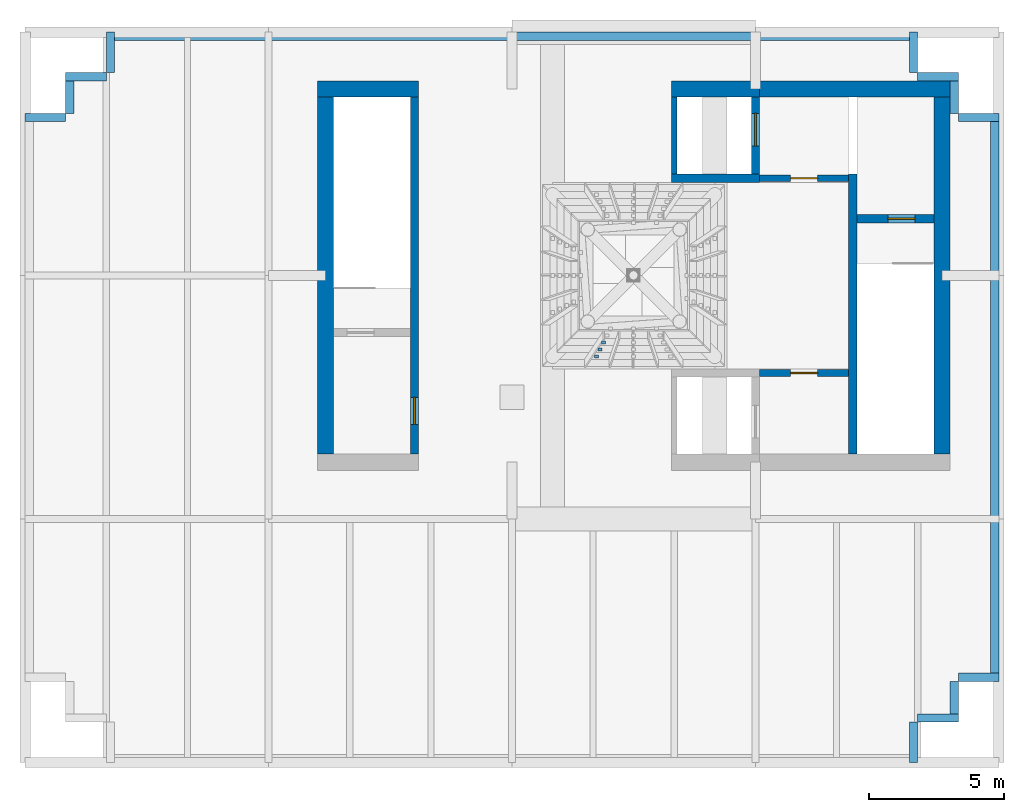
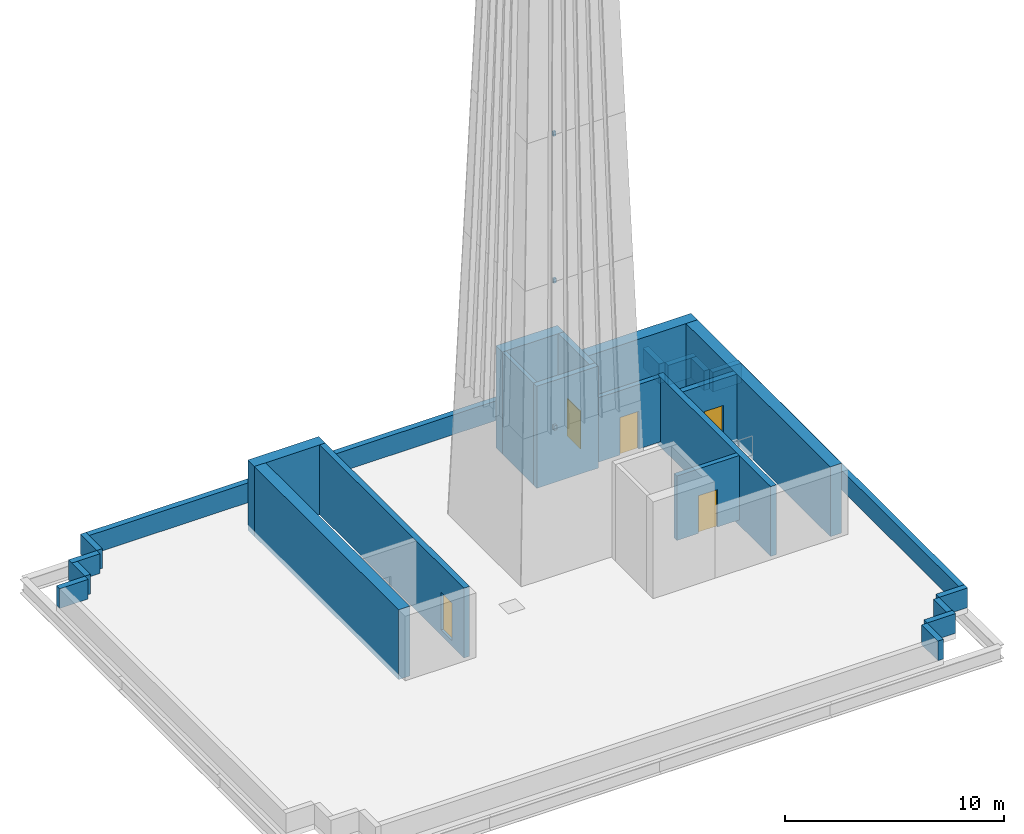
# One storey, part 4 of 8: 27 walls, 5 doors, 3 discrete accessories, 5 openings.
"""IFC4 building model written with IfcOpenShell, lengths in metres."""

from ifc_helpers import new_model, si_unit, direction, frame, frame_2d, origin, origin_2d, place, context, subcontext, project, spatial, rectangle, extrude, material, layer, layer_set, type_object, element, fill, save


model = new_model("IFC4")

# Units and contexts
model_context = context("Model", 3, precision=1e-05, world=origin(), true_north=direction((0.0, 1.0)))
body_context = subcontext(model_context, "Body", "Model", "MODEL_VIEW")
ifc_project = project(units=[si_unit("LENGTHUNIT", "METRE"), si_unit("AREAUNIT", "SQUARE_METRE"), si_unit("VOLUMEUNIT", "CUBIC_METRE"), si_unit("PLANEANGLEUNIT", "RADIAN"), si_unit("MASSUNIT", "GRAM", prefix="KILO")], contexts=[model_context])

# Site, building, storey
site_placement = place(None, origin())
site = spatial("IfcSite", under=ifc_project, at=site_placement, CompositionType="ELEMENT")
building_placement = place(site_placement, origin())
building = spatial("IfcBuilding", under=site, at=building_placement, Name="Loomwork Tower", CompositionType="ELEMENT")
storey_placement = place(building_placement, frame((0.0, 0.0, 279.800048828125)))
storey = spatial("IfcBuildingStorey", under=building, at=storey_placement, Name="RF", CompositionType="ELEMENT", Elevation=279.800048828125)

# Wall, opening, door
ifc_material_1 = material(Name="Concrete 14000 psi (97 MPa)", Category="concrete")
ifc_layer_1 = layer(ifc_material_1, 0.300048828125)
ifc_layer_set_1 = layer_set([ifc_layer_1], Name="Core shear wall 300")
wall_type_1 = type_object("IfcWallType", Name="Core shear wall 300", PredefinedType="SHEAR", material=ifc_layer_set_1)
wall_1_placement = place(storey_placement, frame((14.39990234375, 11.39990234375, -0.300048828125), z_axis=(0.0, 0.0, 1.0), x_axis=(0.0, 1.0, 0.0)))
wall_1 = element("IfcWall", 1, at=wall_1_placement, inside=storey, type_object=wall_type_1, Name="Stair A head-house wall east RF", PredefinedType="SHEAR", context=body_context, shape_type="SweptSolid", body=[
    extrude(rectangle(XDim=13.2001953125, YDim=0.300048828125, at=frame_2d((6.60009765625, 0.0))), origin(), (0.0, 0.0, 1.0), 3.89990234375),
])
opening_1_placement = place(wall_1_placement, frame((1.10009765625, 0.0, 0.300048828125)))
opening_1 = element("IfcOpeningElement", 2, at=opening_1_placement, cuts=wall_1, Name="Opening D12", PredefinedType="OPENING", context=body_context, shape_type="SweptSolid", body=[
    extrude(rectangle(XDim=1.0, YDim=2.10009765625, at=frame_2d((0.5, 1.050048828125))), frame((0.0, 0.159912109375, 0.0), z_axis=(0.0, -1.0, 0.0), x_axis=(1.0, 0.0, 0.0)), (0.0, 0.0, 1.0), 0.320068359375),
])
ifc_material_2 = material(Name="Hollow metal door and frame")
door_type_1 = type_object("IfcDoorType", Name="External service door 1000", OperationType="SINGLE_SWING_RIGHT", PredefinedType="DOOR", material=ifc_material_2)
door_1_placement = place(opening_1_placement, origin())
door_1 = element("IfcDoor", 3, at=door_1_placement, inside=storey, type_object=door_type_1, Name="Stair A roof access door", OperationType="SINGLE_SWING_LEFT", OverallHeight=2.10009765625, OverallWidth=1.0, PredefinedType="DOOR", context=body_context, shape_type="SweptSolid", body=[
    extrude(rectangle(XDim=1.0, YDim=2.10009765625, at=frame_2d((0.5, 1.050048828125))), frame((0.0, 0.02490234375, 0.0), z_axis=(0.0, -1.0, 0.0), x_axis=(1.0, 0.0, 0.0)), (0.0, 0.0, 1.0), 0.050048828125),
])
fill(opening_1, door_1)

wall_2_placement = place(storey_placement, frame((27.0, 21.75, -0.300048828125), z_axis=(0.0, 0.0, 1.0), x_axis=(0.0, 1.0, 0.0)))
wall_2 = element("IfcWall", 4, at=wall_2_placement, inside=storey, type_object=wall_type_1, Name="Stair B and fire service lift penthouse wall LF2-east RF", PredefinedType="SHEAR", context=body_context, shape_type="SweptSolid", body=[
    extrude(rectangle(XDim=2.85009765625, YDim=0.300048828125, at=frame_2d((1.425048828125, 0.0))), origin(), (0.0, 0.0, 1.0), 5.699951171875),
])
opening_2_placement = place(wall_2_placement, frame((1.050048828125, 0.0, 0.300048828125)))
opening_2 = element("IfcOpeningElement", 5, at=opening_2_placement, cuts=wall_2, Name="Opening LD2", PredefinedType="OPENING", context=body_context, shape_type="SweptSolid", body=[
    extrude(rectangle(XDim=1.199951171875, YDim=2.10009765625, at=frame_2d((0.60009765625, 1.050048828125))), frame((0.0, 0.159912109375, 0.0), z_axis=(0.0, -1.0, 0.0), x_axis=(1.0, 0.0, 0.0)), (0.0, 0.0, 1.0), 0.320068359375),
])
ifc_material_3 = material(Name="Hollow metal door and frame")
door_type_2 = type_object("IfcDoorType", Name="Lift landing door 1200", OperationType="SLIDING_TO_LEFT", PredefinedType="DOOR", material=ifc_material_3)
door_2_placement = place(opening_2_placement, origin())
door_2 = element("IfcDoor", 6, at=door_2_placement, inside=storey, type_object=door_type_2, Name="Lift landing door LF2", OperationType="SLIDING_TO_LEFT", OverallHeight=2.10009765625, OverallWidth=1.199951171875, PredefinedType="DOOR", context=body_context, shape_type="SweptSolid", body=[
    extrude(rectangle(XDim=1.199951171875, YDim=2.10009765625, at=frame_2d((0.60009765625, 1.050048828125))), frame((0.0, 0.02490234375, 0.0), z_axis=(0.0, -1.0, 0.0), x_axis=(1.0, 0.0, 0.0)), (0.0, 0.0, 1.0), 0.050048828125),
])
fill(opening_2, door_2)

# Walls
wall_3_placement = place(storey_placement, frame((23.89990234375, 21.60009765625, -0.300048828125), z_axis=(0.0, 0.0, 1.0), x_axis=(1.0, 0.0, 0.0)))
element("IfcWall", 7, at=wall_3_placement, inside=storey, type_object=wall_type_1, Name="Stair B and fire service lift penthouse wall LF2-front RF", PredefinedType="SHEAR", context=body_context, shape_type="SweptSolid", body=[
    extrude(rectangle(XDim=3.25, YDim=0.300048828125, at=frame_2d((1.625, 0.0))), origin(), (0.0, 0.0, 1.0), 5.699951171875),
])
wall_4_placement = place(storey_placement, frame((30.60009765625, 11.39990234375, -0.300048828125), z_axis=(0.0, 0.0, 1.0), x_axis=(0.0, 1.0, 0.0)))
element("IfcWall", 8, at=wall_4_placement, inside=storey, type_object=wall_type_1, Name="Stair B and fire service lift penthouse wall west RF", PredefinedType="SHEAR", context=body_context, shape_type="SweptSolid", body=[
    extrude(rectangle(XDim=10.35009765625, YDim=0.300048828125, at=frame_2d((5.175048828125, 0.0))), origin(), (0.0, 0.0, 1.0), 3.89990234375),
])

# Wall, opening, door
wall_5_placement = place(storey_placement, frame((30.75, 20.10009765625, -0.300048828125), z_axis=(0.0, 0.0, 1.0), x_axis=(1.0, 0.0, 0.0)))
wall_5 = element("IfcWall", 9, at=wall_5_placement, inside=storey, type_object=wall_type_1, Name="Stair B and fire service lift penthouse wall stair RF", PredefinedType="SHEAR", context=body_context, shape_type="SweptSolid", body=[
    extrude(rectangle(XDim=2.85009765625, YDim=0.300048828125, at=frame_2d((1.425048828125, 0.0))), origin(), (0.0, 0.0, 1.0), 3.89990234375),
])
opening_3_placement = place(wall_5_placement, frame((1.14990234375, 0.0, 0.300048828125)))
opening_3 = element("IfcOpeningElement", 10, at=opening_3_placement, cuts=wall_5, Name="Opening D4", PredefinedType="OPENING", context=body_context, shape_type="SweptSolid", body=[
    extrude(rectangle(XDim=1.0, YDim=2.10009765625, at=frame_2d((0.5, 1.050048828125))), frame((0.0, 0.159912109375, 0.0), z_axis=(0.0, -1.0, 0.0), x_axis=(1.0, 0.0, 0.0)), (0.0, 0.0, 1.0), 0.320068359375),
])
ifc_material_4 = material(Name="Hollow metal door and frame")
door_type_3 = type_object("IfcDoorType", Name="Stair door 1000", OperationType="SINGLE_SWING_RIGHT", PredefinedType="DOOR", material=ifc_material_4)
door_3_placement = place(opening_3_placement, origin())
door_3 = element("IfcDoor", 11, at=door_3_placement, inside=storey, type_object=door_type_3, Name="Stair B penthouse stair door", OperationType="SINGLE_SWING_RIGHT", OverallHeight=2.10009765625, OverallWidth=1.0, PredefinedType="DOOR", context=body_context, shape_type="SweptSolid", body=[
    extrude(rectangle(XDim=1.0, YDim=2.10009765625, at=frame_2d((0.5, 1.050048828125))), frame((0.0, 0.02490234375, 0.0), z_axis=(0.0, -1.0, 0.0), x_axis=(1.0, 0.0, 0.0)), (0.0, 0.0, 1.0), 0.050048828125),
])
fill(opening_3, door_3)

# Walls
ifc_material_5 = material(Name="Concrete 14000 psi (97 MPa)", Category="concrete")
ifc_layer_2 = layer(ifc_material_5, 0.60009765625)
ifc_layer_set_2 = layer_set([ifc_layer_2], Name="Core shear wall 600")
wall_type_2 = type_object("IfcWallType", Name="Core shear wall 600", PredefinedType="SHEAR", material=ifc_layer_set_2)
wall_6_placement = place(storey_placement, frame((10.800048828125, 24.89990234375, -0.300048828125), z_axis=(0.0, 0.0, 1.0), x_axis=(1.0, 0.0, 0.0)))
element("IfcWall", 12, at=wall_6_placement, inside=storey, type_object=wall_type_2, Name="Stair A head-house wall north RF", PredefinedType="SHEAR", context=body_context, shape_type="SweptSolid", body=[
    extrude(rectangle(XDim=3.75, YDim=0.60009765625, at=frame_2d((1.875, 0.0))), origin(), (0.0, 0.0, 1.0), 3.89990234375),
])
wall_7_placement = place(storey_placement, frame((11.10009765625, 11.39990234375, -0.300048828125), z_axis=(0.0, 0.0, 1.0), x_axis=(0.0, 1.0, 0.0)))
element("IfcWall", 13, at=wall_7_placement, inside=storey, type_object=wall_type_2, Name="Stair A head-house wall west RF", PredefinedType="SHEAR", context=body_context, shape_type="SweptSolid", body=[
    extrude(rectangle(XDim=13.2001953125, YDim=0.60009765625, at=frame_2d((6.60009765625, 0.0))), origin(), (0.0, 0.0, 1.0), 3.89990234375),
])
wall_8_placement = place(storey_placement, frame((23.89990234375, 24.89990234375, -0.300048828125), z_axis=(0.0, 0.0, 1.0), x_axis=(1.0, 0.0, 0.0)))
element("IfcWall", 14, at=wall_8_placement, inside=storey, type_object=wall_type_2, Name="Stair B and fire service lift penthouse wall LF2-north RF", PredefinedType="SHEAR", context=body_context, shape_type="SweptSolid", body=[
    extrude(rectangle(XDim=3.25, YDim=0.60009765625, at=frame_2d((1.625, 0.0))), origin(), (0.0, 0.0, 1.0), 5.699951171875),
])
wall_9_placement = place(storey_placement, frame((27.14990234375, 24.89990234375, -0.300048828125), z_axis=(0.0, 0.0, 1.0), x_axis=(1.0, 0.0, 0.0)))
element("IfcWall", 15, at=wall_9_placement, inside=storey, type_object=wall_type_2, Name="Stair B and fire service lift penthouse wall north RF", PredefinedType="SHEAR", context=body_context, shape_type="SweptSolid", body=[
    extrude(rectangle(XDim=7.050048828125, YDim=0.60009765625, at=frame_2d((3.52490234375, 0.0))), origin(), (0.0, 0.0, 1.0), 3.89990234375),
])
wall_10_placement = place(storey_placement, frame((33.89990234375, 11.39990234375, -0.300048828125), z_axis=(0.0, 0.0, 1.0), x_axis=(0.0, 1.0, 0.0)))
element("IfcWall", 16, at=wall_10_placement, inside=storey, type_object=wall_type_2, Name="Stair B and fire service lift penthouse wall east RF", PredefinedType="SHEAR", context=body_context, shape_type="SweptSolid", body=[
    extrude(rectangle(XDim=13.2001953125, YDim=0.60009765625, at=frame_2d((6.60009765625, 0.0))), origin(), (0.0, 0.0, 1.0), 3.89990234375),
])
ifc_material_6 = material(Name="Concrete 14000 psi (97 MPa)", Category="concrete")
ifc_layer_3 = layer(ifc_material_6, 0.199951171875)
ifc_layer_set_3 = layer_set([ifc_layer_3], Name="Lift shaft wall 200")
wall_type_3 = type_object("IfcWallType", Name="Lift shaft wall 200", PredefinedType="SHEAR", material=ifc_layer_set_3)
wall_11_placement = place(storey_placement, frame((24.0, 21.75, -0.300048828125), z_axis=(0.0, 0.0, 1.0), x_axis=(0.0, 1.0, 0.0)))
element("IfcWall", 17, at=wall_11_placement, inside=storey, type_object=wall_type_3, Name="Stair B and fire service lift penthouse wall LF2-west RF", PredefinedType="SHEAR", context=body_context, shape_type="SweptSolid", body=[
    extrude(rectangle(XDim=2.85009765625, YDim=0.199951171875, at=frame_2d((1.425048828125, 0.0))), origin(), (0.0, 0.0, 1.0), 5.699951171875),
])
ifc_material_7 = material(Name="Limestone on concrete masonry", Category="masonry")
ifc_layer_4 = layer(ifc_material_7, 0.300048828125)
ifc_layer_set_4 = layer_set([ifc_layer_4], Name="Parapet wall 300")
wall_type_4 = type_object("IfcWallType", Name="Parapet wall 300", PredefinedType="PARAPET", material=ifc_layer_set_4)
for number, where, z_axis, x_axis, name in (
    (18, (0.0, 23.85009765625, 0.0), (0.0, 0.0, 1.0), (1.0, 0.0, 0.0), "Parapet RF 5"),
    (19, (1.64990234375, 24.0, 0.0), (0.0, 0.0, 1.0), (0.0, 1.0, 0.0), "Parapet RF 6"),
    (20, (1.5, 25.35009765625, 0.0), (0.0, 0.0, 1.0), (1.0, 0.0, 0.0), "Parapet RF 7"),
    (21, (3.14990234375, 25.5, 0.0), (0.0, 0.0, 1.0), (0.0, 1.0, 0.0), "Parapet RF 8"),
):
    element("IfcWall", number, at=place(storey_placement, frame(where, z_axis=z_axis, x_axis=x_axis)), inside=storey, type_object=wall_type_4, Name=name, PredefinedType="PARAPET", context=body_context, shape_type="SweptSolid", body=[
        extrude(rectangle(XDim=1.5, YDim=0.300048828125, at=frame_2d((0.75, 0.0))), origin(), (0.0, 0.0, 1.0), 1.099853515625),
    ])
wall_12_placement = place(storey_placement, frame((3.0, 26.85009765625, 0.0), z_axis=(0.0, 0.0, 1.0), x_axis=(1.0, 0.0, 0.0)))
element("IfcWall", 22, at=wall_12_placement, inside=storey, type_object=wall_type_4, Name="Parapet RF 9", PredefinedType="PARAPET", context=body_context, shape_type="SweptSolid", body=[
    extrude(rectangle(XDim=30.0, YDim=0.300048828125, at=frame_2d((15.0, 0.0))), origin(), (0.0, 0.0, 1.0), 1.099853515625),
])
for number, where, z_axis, x_axis, name in (
    (23, (32.85009765625, 27.0, 0.0), (0.0, 0.0, 1.0), (0.0, -1.0, 0.0), "Parapet RF 10"),
    (24, (33.0, 25.35009765625, 0.0), (0.0, 0.0, 1.0), (1.0, 0.0, 0.0), "Parapet RF 11"),
    (25, (34.35009765625, 25.5, 0.0), (0.0, 0.0, 1.0), (0.0, -1.0, 0.0), "Parapet RF 12"),
    (26, (34.5, 23.85009765625, 0.0), (0.0, 0.0, 1.0), (1.0, 0.0, 0.0), "Parapet RF 13"),
):
    element("IfcWall", number, at=place(storey_placement, frame(where, z_axis=z_axis, x_axis=x_axis)), inside=storey, type_object=wall_type_4, Name=name, PredefinedType="PARAPET", context=body_context, shape_type="SweptSolid", body=[
        extrude(rectangle(XDim=1.5, YDim=0.300048828125, at=frame_2d((0.75, 0.0))), origin(), (0.0, 0.0, 1.0), 1.099853515625),
    ])
wall_13_placement = place(storey_placement, frame((35.85009765625, 24.0, 0.0), z_axis=(0.0, 0.0, 1.0), x_axis=(0.0, -1.0, 0.0)))
element("IfcWall", 27, at=wall_13_placement, inside=storey, type_object=wall_type_4, Name="Parapet RF 14", PredefinedType="PARAPET", context=body_context, shape_type="SweptSolid", body=[
    extrude(rectangle(XDim=21.0, YDim=0.300048828125, at=frame_2d((10.5, 0.0))), origin(), (0.0, 0.0, 1.0), 1.099853515625),
])
for number, where, z_axis, x_axis, name in (
    (28, (36.0, 3.14990234375, 0.0), (0.0, 0.0, 1.0), (-1.0, 0.0, 0.0), "Parapet RF 15"),
    (29, (34.35009765625, 3.0, 0.0), (0.0, 0.0, 1.0), (0.0, -1.0, 0.0), "Parapet RF 16"),
    (30, (34.5, 1.64990234375, 0.0), (0.0, 0.0, 1.0), (-1.0, 0.0, 0.0), "Parapet RF 17"),
    (31, (32.85009765625, 1.5, 0.0), (0.0, 0.0, 1.0), (0.0, -1.0, 0.0), "Parapet RF 18"),
):
    element("IfcWall", number, at=place(storey_placement, frame(where, z_axis=z_axis, x_axis=x_axis)), inside=storey, type_object=wall_type_4, Name=name, PredefinedType="PARAPET", context=body_context, shape_type="SweptSolid", body=[
        extrude(rectangle(XDim=1.5, YDim=0.300048828125, at=frame_2d((0.75, 0.0))), origin(), (0.0, 0.0, 1.0), 1.099853515625),
    ])

# Wall, opening, door
ifc_material_8 = material(Name="Concrete masonry, two-hour", Category="masonry")
ifc_layer_5 = layer(ifc_material_8, 0.25)
ifc_layer_set_5 = layer_set([ifc_layer_5], Name="Stair enclosure wall 250")
wall_type_5 = type_object("IfcWallType", Name="Stair enclosure wall 250", PredefinedType="SOLIDWALL", material=ifc_layer_set_5)
wall_14_placement = place(storey_placement, frame((27.14990234375, 14.39990234375, 0.0), z_axis=(0.0, 0.0, 1.0), x_axis=(1.0, 0.0, 0.0)))
wall_14 = element("IfcWall", 32, at=wall_14_placement, inside=storey, type_object=wall_type_5, Name="Stair B and fire service lift penthouse wall lobby-south RF", PredefinedType="SOLIDWALL", context=body_context, shape_type="SweptSolid", body=[
    extrude(rectangle(XDim=3.300048828125, YDim=0.25, at=frame_2d((1.64990234375, 0.0))), origin(), (0.0, 0.0, 1.0), 3.599853515625),
])
opening_4_placement = place(wall_14_placement, frame((1.14990234375, 0.0, 0.0)))
opening_4 = element("IfcOpeningElement", 33, at=opening_4_placement, cuts=wall_14, Name="Opening D12", PredefinedType="OPENING", context=body_context, shape_type="SweptSolid", body=[
    extrude(rectangle(XDim=1.0, YDim=2.10009765625, at=frame_2d((0.5, 1.050048828125))), frame((0.0, 0.135009765625, 0.0), z_axis=(0.0, -1.0, 0.0), x_axis=(1.0, 0.0, 0.0)), (0.0, 0.0, 1.0), 0.27001953125),
])
door_4_placement = place(opening_4_placement, origin())
door_4 = element("IfcDoor", 34, at=door_4_placement, inside=storey, type_object=door_type_1, Name="Lift lobby LF1 roof access door", OperationType="SINGLE_SWING_RIGHT", OverallHeight=2.10009765625, OverallWidth=1.0, PredefinedType="DOOR", context=body_context, shape_type="SweptSolid", body=[
    extrude(rectangle(XDim=1.0, YDim=2.10009765625, at=frame_2d((0.5, 1.050048828125))), frame((0.0, 0.02490234375, 0.0), z_axis=(0.0, -1.0, 0.0), x_axis=(1.0, 0.0, 0.0)), (0.0, 0.0, 1.0), 0.050048828125),
])
fill(opening_4, door_4)

wall_15_placement = place(storey_placement, frame((27.14990234375, 21.60009765625, 0.0), z_axis=(0.0, 0.0, 1.0), x_axis=(1.0, 0.0, 0.0)))
wall_15 = element("IfcWall", 35, at=wall_15_placement, inside=storey, type_object=wall_type_5, Name="Stair B and fire service lift penthouse wall lobby-north RF", PredefinedType="SOLIDWALL", context=body_context, shape_type="SweptSolid", body=[
    extrude(rectangle(XDim=3.300048828125, YDim=0.25, at=frame_2d((1.64990234375, 0.0))), origin(), (0.0, 0.0, 1.0), 3.599853515625),
])
opening_5_placement = place(wall_15_placement, frame((1.14990234375, 0.0, 0.0)))
opening_5 = element("IfcOpeningElement", 36, at=opening_5_placement, cuts=wall_15, Name="Opening D12", PredefinedType="OPENING", context=body_context, shape_type="SweptSolid", body=[
    extrude(rectangle(XDim=1.0, YDim=2.10009765625, at=frame_2d((0.5, 1.050048828125))), frame((0.0, 0.135009765625, 0.0), z_axis=(0.0, -1.0, 0.0), x_axis=(1.0, 0.0, 0.0)), (0.0, 0.0, 1.0), 0.27001953125),
])
door_5_placement = place(opening_5_placement, origin())
door_5 = element("IfcDoor", 37, at=door_5_placement, inside=storey, type_object=door_type_1, Name="Lift lobby LF2 roof access door", OperationType="SINGLE_SWING_LEFT", OverallHeight=2.10009765625, OverallWidth=1.0, PredefinedType="DOOR", context=body_context, shape_type="SweptSolid", body=[
    extrude(rectangle(XDim=1.0, YDim=2.10009765625, at=frame_2d((0.5, 1.050048828125))), frame((0.0, 0.02490234375, 0.0), z_axis=(0.0, -1.0, 0.0), x_axis=(1.0, 0.0, 0.0)), (0.0, 0.0, 1.0), 0.050048828125),
])
fill(opening_5, door_5)

# Discrete accessories
ifc_material_9 = material(Name="Steel, galvanised", Category="steel")
discrete_accessory_type = type_object("IfcDiscreteAccessoryType", Name="Crown cladding bracket", PredefinedType="BRACKET", material=ifc_material_9)
for number, where, z_axis, x_axis, name in (
    (38, (21.1298828125, 15.00634765625, 7.875), (0.0, 0.0, 1.0), (1.0, 0.0, 0.0), "Crown cladding bracket south 8 m 1"),
    (39, (21.260009765625, 15.266357421875, 15.875), (0.0, 0.0, 1.0), (1.0, 0.0, 0.0), "Crown cladding bracket south 16 m 1"),
    (40, (21.389892578125, 15.5263671875, 23.875), (0.0, 0.0, 1.0), (1.0, 0.0, 0.0), "Crown cladding bracket south 24 m 1"),
):
    element("IfcDiscreteAccessory", number, at=place(storey_placement, frame(where, z_axis=z_axis, x_axis=x_axis)), inside=storey, type_object=discrete_accessory_type, Name=name, PredefinedType="BRACKET", context=body_context, shape_type="SweptSolid", body=[
        extrude(rectangle(XDim=0.14990234375, YDim=0.120849609375, at=origin_2d()), origin(), (0.0, 0.0, 1.0), 0.25),
    ])

save(model, "model.ifc")
